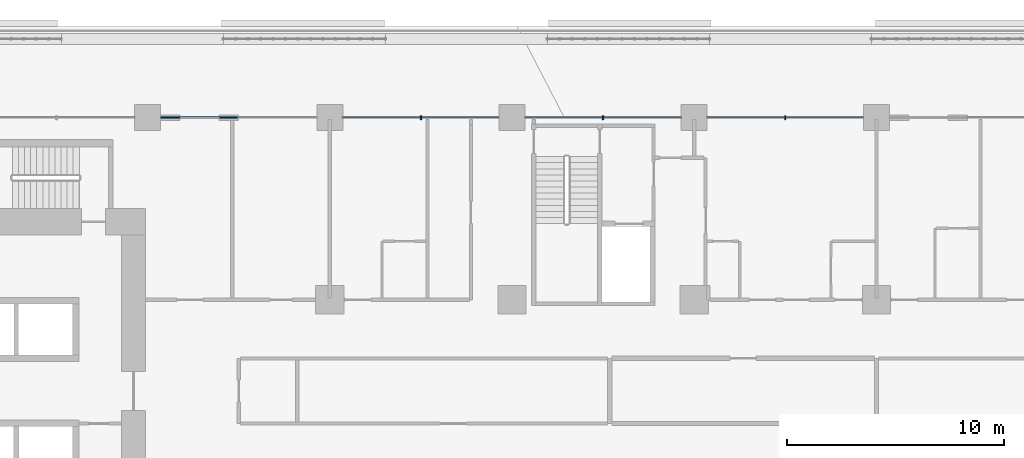
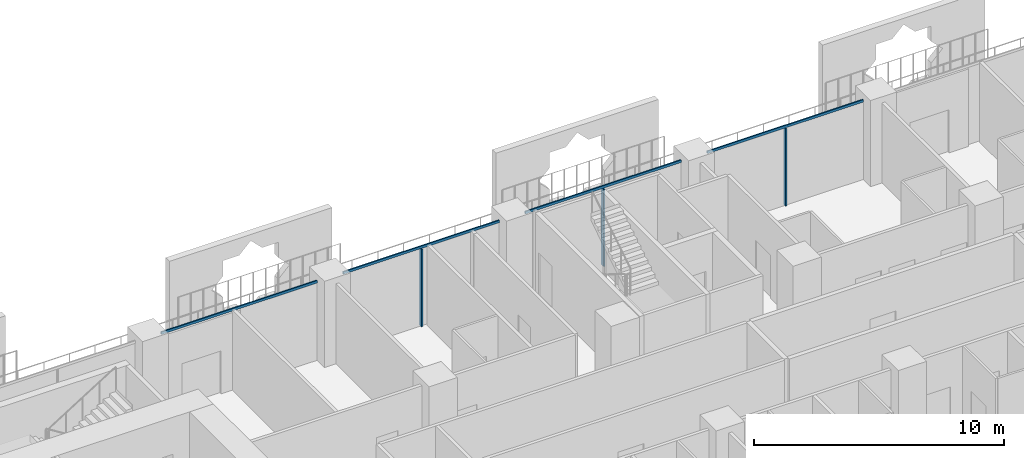
# One storey, part 9 of 28: 7 members, 1 element without a shape of its own.
"""IFC4 building model written with IfcOpenShell, lengths in metres."""

from ifc_helpers import new_model, si_unit, direction, frame, origin, origin_2d, place, context, subcontext, project, spatial, rectangle, extrude, material, layer, layer_set, material_profile, profile_set, type_object, element, aggregate, save


model = new_model("IFC4")

# Units and contexts
model_context = context("Model", 3, precision=1e-05, world=origin(), true_north=direction((0.0, 1.0)))
body_context = subcontext(model_context, "Body", "Model", "MODEL_VIEW")
ifc_project = project(units=[si_unit("LENGTHUNIT", "METRE"), si_unit("AREAUNIT", "SQUARE_METRE"), si_unit("VOLUMEUNIT", "CUBIC_METRE"), si_unit("PLANEANGLEUNIT", "RADIAN"), si_unit("MASSUNIT", "GRAM", prefix="KILO")], contexts=[model_context])

# Site, building, storey
site_placement = place(None, origin())
site = spatial("IfcSite", under=ifc_project, at=site_placement, CompositionType="ELEMENT")
building_placement = place(site_placement, origin())
building = spatial("IfcBuilding", under=site, at=building_placement, Name="Kawkab Arch Medical Tower", CompositionType="ELEMENT")
storey_placement = place(building_placement, frame((0.0, 0.0, 72.800048828125)))
storey = spatial("IfcBuildingStorey", under=building, at=storey_placement, Name="L16", CompositionType="ELEMENT", Elevation=72.800048828125)

# Curtain wall, members
ifc_material_1 = material(Name="Bronze anodised aluminium curtain wall frame", Category="aluminium")
ifc_layer = layer(ifc_material_1, 0.159912109375)
ifc_layer_set = layer_set([ifc_layer], Name="Bronze anodised aluminium curtain wall frame")
curtain_wall_type = type_object("IfcCurtainWallType", Name="CW1 ward curtain wall", PredefinedType="NOTDEFINED", material=ifc_layer_set)
curtain_wall_placement = place(storey_placement, origin())
curtain_wall = element("IfcCurtainWall", 1, at=curtain_wall_placement, inside=storey, type_object=curtain_wall_type, Name="CW1 Ward curtain wall R11", PredefinedType="NOTDEFINED")
ifc_material_2 = material(Name="Bronze anodised aluminium curtain wall frame", Category="aluminium")
ifc_material_profile_1 = material_profile(ifc_material_2, rectangle(XDim=0.179931640625, YDim=0.06005859375, at=origin_2d()), Name="AL 60x180")
ifc_profile_set_1 = profile_set([ifc_material_profile_1], Name="Bronze anodised aluminium curtain wall frame")
member_type_1 = type_object("IfcMemberType", Name="CW1 mullion 60 x 180", PredefinedType="MULLION", material=ifc_profile_set_1)
member_1_placement = place(storey_placement, frame((54.60009765625, 0.0, 0.0), z_axis=(0.0, 0.0, 1.0), x_axis=(0.0, -1.0, 0.0)))
member_1 = element("IfcMember", 2, at=member_1_placement, type_object=member_type_1, Name="CW1 mullion 3.1", PredefinedType="MULLION", context=body_context, shape_type="SweptSolid", body=[
    extrude(rectangle(XDim=0.179931640625, YDim=0.06005859375, at=origin_2d()), origin(), (0.0, 0.0, 1.0), 3.780029296875),
])
member_2_placement = place(storey_placement, frame((46.199951171875, 0.0, 0.0), z_axis=(0.0, 0.0, 1.0), x_axis=(0.0, -1.0, 0.0)))
member_2 = element("IfcMember", 3, at=member_2_placement, type_object=member_type_1, Name="CW1 mullion 4.1", PredefinedType="MULLION", context=body_context, shape_type="SweptSolid", body=[
    extrude(rectangle(XDim=0.179931640625, YDim=0.06005859375, at=origin_2d()), origin(), (0.0, 0.0, 1.0), 3.780029296875),
])
member_3_placement = place(storey_placement, frame((37.800048828125, 0.0, 0.0), z_axis=(0.0, 0.0, 1.0), x_axis=(0.0, -1.0, 0.0)))
member_3 = element("IfcMember", 4, at=member_3_placement, type_object=member_type_1, Name="CW1 mullion 5.1", PredefinedType="MULLION", context=body_context, shape_type="SweptSolid", body=[
    extrude(rectangle(XDim=0.179931640625, YDim=0.06005859375, at=origin_2d()), origin(), (0.0, 0.0, 1.0), 3.780029296875),
])
ifc_material_3 = material(Name="Bronze anodised aluminium curtain wall frame", Category="aluminium")
ifc_material_profile_2 = material_profile(ifc_material_3, rectangle(XDim=0.06005859375, YDim=0.1201171875, at=origin_2d()), Name="AL 60x120")
ifc_profile_set_2 = profile_set([ifc_material_profile_2], Name="Bronze anodised aluminium curtain wall frame")
member_type_2 = type_object("IfcMemberType", Name="CW1 transom 120 x 60", PredefinedType="USERDEFINED", material=ifc_profile_set_2)
member_4_placement = place(storey_placement, frame((58.199951171875, 0.0, 3.83984375), z_axis=(-1.0, 0.0, 0.0), x_axis=(0.0, -1.0, 0.0)))
member_4 = element("IfcMember", 5, at=member_4_placement, type_object=member_type_2, Name="CW1 transom 3", ObjectType="TRANSOM", PredefinedType="USERDEFINED", context=body_context, shape_type="SweptSolid", body=[
    extrude(rectangle(XDim=0.06005859375, YDim=0.1201171875, at=origin_2d()), origin(), (0.0, 0.0, 1.0), 7.199951171875),
])
member_5_placement = place(storey_placement, frame((49.800048828125, 0.0, 3.83984375), z_axis=(-1.0, 0.0, 0.0), x_axis=(0.0, -1.0, 0.0)))
member_5 = element("IfcMember", 6, at=member_5_placement, type_object=member_type_2, Name="CW1 transom 4", ObjectType="TRANSOM", PredefinedType="USERDEFINED", context=body_context, shape_type="SweptSolid", body=[
    extrude(rectangle(XDim=0.06005859375, YDim=0.1201171875, at=origin_2d()), origin(), (0.0, 0.0, 1.0), 7.199951171875),
])
member_6_placement = place(storey_placement, frame((41.39990234375, 0.0, 3.83984375), z_axis=(-1.0, 0.0, 0.0), x_axis=(0.0, -1.0, 0.0)))
member_6 = element("IfcMember", 7, at=member_6_placement, type_object=member_type_2, Name="CW1 transom 5", ObjectType="TRANSOM", PredefinedType="USERDEFINED", context=body_context, shape_type="SweptSolid", body=[
    extrude(rectangle(XDim=0.06005859375, YDim=0.1201171875, at=origin_2d()), origin(), (0.0, 0.0, 1.0), 7.199951171875),
])
member_7_placement = place(storey_placement, frame((33.0, 0.0, 3.83984375), z_axis=(-1.0, 0.0, 0.0), x_axis=(0.0, -1.0, 0.0)))
member_7 = element("IfcMember", 8, at=member_7_placement, type_object=member_type_2, Name="CW1 transom 6", ObjectType="TRANSOM", PredefinedType="USERDEFINED", context=body_context, shape_type="SweptSolid", body=[
    extrude(rectangle(XDim=0.06005859375, YDim=0.1201171875, at=origin_2d()), origin(), (0.0, 0.0, 1.0), 7.199951171875),
])
aggregate(curtain_wall, [member_4, member_1, member_5, member_2, member_6, member_3, member_7])

save(model, "model.ifc")
